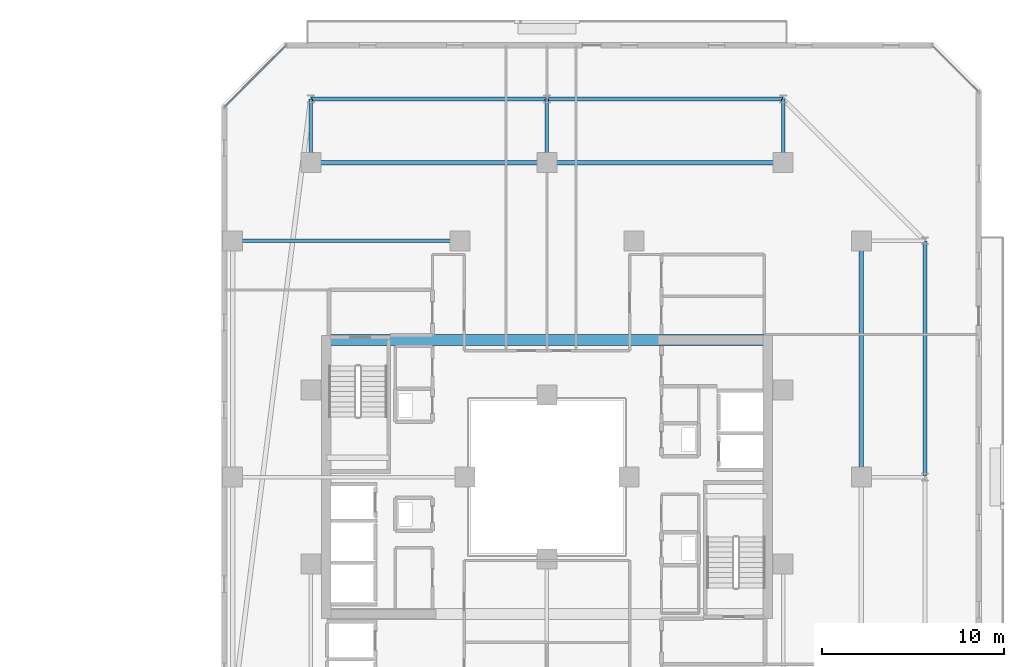
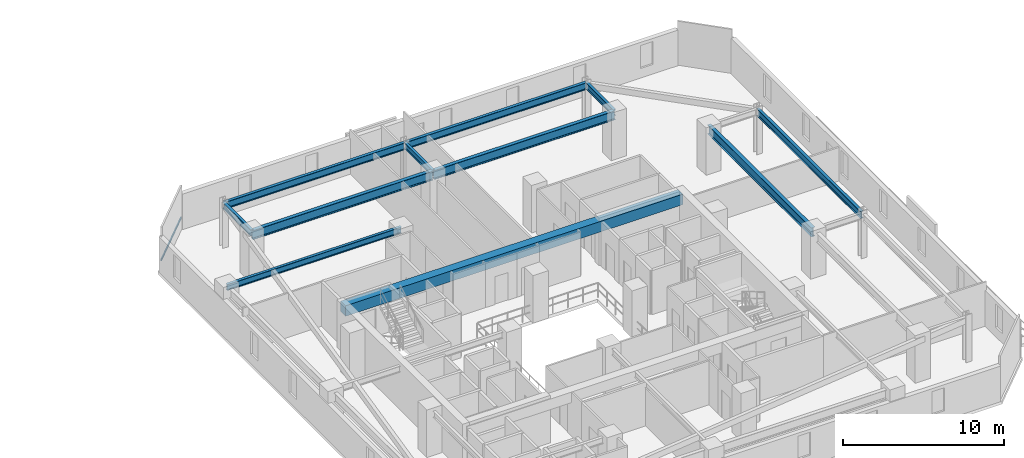
# One storey, part 15 of 33: 11 beams, 1 member, 1 element without a shape of its own.
"""IFC4 building model written with IfcOpenShell, lengths in metres."""

from ifc_helpers import new_model, si_unit, direction, frame, origin, origin_2d, place, context, subcontext, project, spatial, rectangle, hollow_rectangle, i_section, extrude, material, material_profile, profile_set, type_object, element, aggregate, save


model = new_model("IFC4")

# Units and contexts
model_context = context("Model", 3, precision=1e-05, world=origin(), true_north=direction((0.0, 1.0)))
body_context = subcontext(model_context, "Body", "Model", "MODEL_VIEW")
ifc_project = project(units=[si_unit("LENGTHUNIT", "METRE"), si_unit("AREAUNIT", "SQUARE_METRE"), si_unit("VOLUMEUNIT", "CUBIC_METRE"), si_unit("PLANEANGLEUNIT", "RADIAN"), si_unit("MASSUNIT", "GRAM", prefix="KILO")], contexts=[model_context])

# Site, building, storey
site_placement = place(None, origin())
site = spatial("IfcSite", under=ifc_project, at=site_placement, CompositionType="ELEMENT")
building_placement = place(site_placement, origin())
building = spatial("IfcBuilding", under=site, at=building_placement, Name="Thornwick Lancets Civic Towers", CompositionType="ELEMENT")
storey_placement = place(building_placement, frame((0.0, 0.0, 159.89990234375)))
storey = spatial("IfcBuildingStorey", under=building, at=storey_placement, Name="L42", CompositionType="ELEMENT", Elevation=159.89990234375)

# Beams
ifc_material_1 = material(Name="Concrete C60/75", Category="concrete")
ifc_material_profile_1 = material_profile(ifc_material_1, rectangle(XDim=0.60009765625, YDim=0.800048828125, at=origin_2d()), Name="RC 600x800")
ifc_profile_set_1 = profile_set([ifc_material_profile_1], Name="Concrete C60/75")
beam_type_1 = type_object("IfcBeamType", Name="BM_COUP_RC800", PredefinedType="BEAM", material=ifc_profile_set_1)
beam_1_placement = place(storey_placement, frame((76.39990234375, 34.550048828125, 2.960205078125), z_axis=(1.0, 0.0, 0.0), x_axis=(0.0, 1.0, 0.0)))
element("IfcBeam", 1, at=beam_1_placement, inside=storey, type_object=beam_type_1, Name="CB-L42-B1", PredefinedType="BEAM", context=body_context, shape_type="SweptSolid", body=[
    extrude(rectangle(XDim=0.60009765625, YDim=0.800048828125, at=origin_2d()), origin(), (0.0, 0.0, 1.0), 24.2001953125),
])
ifc_material_2 = material(Name="Steel S355JR", Category="steel")
ifc_material_profile_2 = material_profile(ifc_material_2, i_section(OverallWidth=0.210693359375, OverallDepth=0.53955078125, WebThickness=0.01171875, FlangeThickness=0.018798828125, FilletRadius=0.0126953125, at=origin_2d()), Name="UKB 533x210x109")
ifc_profile_set_2 = profile_set([ifc_material_profile_2], Name="Steel S355JR")
beam_type_2 = type_object("IfcBeamType", Name="BM_EDGE_533_109", PredefinedType="SPANDREL", material=ifc_profile_set_2)
beam_2_placement = place(storey_placement, frame((109.300048828125, 27.080078125, 3.09033203125), z_axis=(0.0, 1.0, 0.0), x_axis=(-1.0, 0.0, 0.0)))
element("IfcBeam", 2, at=beam_2_placement, inside=storey, type_object=beam_type_2, Name="BM-EDGE-L42-B-S0-2", PredefinedType="SPANDREL", context=body_context, shape_type="SweptSolid", body=[
    extrude(i_section(OverallWidth=0.210693359375, OverallDepth=0.53955078125, WebThickness=0.01171875, FlangeThickness=0.018798828125, FilletRadius=0.0126953125, at=origin_2d()), origin(), (0.0, 0.0, 1.0), 12.919921875),
])
beam_3_placement = place(storey_placement, frame((101.5, 47.800048828125, 3.09033203125), z_axis=(-1.0, 0.0, 0.0), x_axis=(0.0, -1.0, 0.0)))
element("IfcBeam", 3, at=beam_3_placement, inside=storey, type_object=beam_type_2, Name="BM-EDGE-L42-B-S1-1", PredefinedType="SPANDREL", context=body_context, shape_type="SweptSolid", body=[
    extrude(i_section(OverallWidth=0.210693359375, OverallDepth=0.53955078125, WebThickness=0.01171875, FlangeThickness=0.018798828125, FilletRadius=0.0126953125, at=origin_2d()), origin(), (0.0, 0.0, 1.0), 13.0),
])
beam_4_placement = place(storey_placement, frame((88.419921875, 47.800048828125, 3.09033203125), z_axis=(-1.0, 0.0, 0.0), x_axis=(0.0, -1.0, 0.0)))
element("IfcBeam", 4, at=beam_4_placement, inside=storey, type_object=beam_type_2, Name="BM-EDGE-L42-B-S1-2", PredefinedType="SPANDREL", context=body_context, shape_type="SweptSolid", body=[
    extrude(i_section(OverallWidth=0.210693359375, OverallDepth=0.53955078125, WebThickness=0.01171875, FlangeThickness=0.018798828125, FilletRadius=0.0126953125, at=origin_2d()), origin(), (0.0, 0.0, 1.0), 12.919921875),
])
ifc_material_profile_3 = material_profile(ifc_material_2, i_section(OverallWidth=0.255859375, OverallDepth=0.69287109375, WebThickness=0.014404296875, FlangeThickness=0.023681640625, FilletRadius=0.01513671875, at=origin_2d()), Name="UKB 686x254x170")
ifc_profile_set_3 = profile_set([ifc_material_profile_3], Name="Steel S355JR")
beam_type_3 = type_object("IfcBeamType", Name="BM_GIRD_686_170", PredefinedType="BEAM", material=ifc_profile_set_3)
beam_5_placement = place(storey_placement, frame((105.800048828125, 27.080078125, 3.013671875), z_axis=(0.0, 1.0, 0.0), x_axis=(-1.0, 0.0, 0.0)))
element("IfcBeam", 5, at=beam_5_placement, inside=storey, type_object=beam_type_3, Name="BM-SPINE-L42-B-1-2", PredefinedType="BEAM", context=body_context, shape_type="SweptSolid", body=[
    extrude(i_section(OverallWidth=0.255859375, OverallDepth=0.69287109375, WebThickness=0.014404296875, FlangeThickness=0.023681640625, FilletRadius=0.01513671875, at=origin_2d()), origin(), (0.0, 0.0, 1.0), 12.919921875),
])
beam_6_placement = place(storey_placement, frame((101.5, 44.300048828125, 3.013671875), z_axis=(-1.0, 0.0, 0.0), x_axis=(0.0, -1.0, 0.0)))
element("IfcBeam", 6, at=beam_6_placement, inside=storey, type_object=beam_type_3, Name="BM-SPINE-L42-B-3-4", PredefinedType="BEAM", context=body_context, shape_type="SweptSolid", body=[
    extrude(i_section(OverallWidth=0.255859375, OverallDepth=0.69287109375, WebThickness=0.014404296875, FlangeThickness=0.023681640625, FilletRadius=0.01513671875, at=origin_2d()), origin(), (0.0, 0.0, 1.0), 13.0),
])
beam_7_placement = place(storey_placement, frame((88.419921875, 44.300048828125, 3.013671875), z_axis=(-1.0, 0.0, 0.0), x_axis=(0.0, -1.0, 0.0)))
element("IfcBeam", 7, at=beam_7_placement, inside=storey, type_object=beam_type_3, Name="BM-SPINE-L42-B-4-5", PredefinedType="BEAM", context=body_context, shape_type="SweptSolid", body=[
    extrude(i_section(OverallWidth=0.255859375, OverallDepth=0.69287109375, WebThickness=0.014404296875, FlangeThickness=0.023681640625, FilletRadius=0.01513671875, at=origin_2d()), origin(), (0.0, 0.0, 1.0), 12.919921875),
])
ifc_material_profile_4 = material_profile(ifc_material_2, i_section(OverallWidth=0.19287109375, OverallDepth=0.46728515625, WebThickness=0.011474609375, FlangeThickness=0.01953125, FilletRadius=0.01025390625, at=origin_2d()), Name="UKB 457x191x98")
ifc_profile_set_4 = profile_set([ifc_material_profile_4], Name="Steel S355JR")
beam_type_4 = type_object("IfcBeamType", Name="BM_JOIST_457_98", PredefinedType="JOIST", material=ifc_profile_set_4)
for number, where, z_axis, x_axis, name in (
    (8, (101.5, 44.300048828125, 3.12646484375), (0.0, 1.0, 0.0), (-1.0, 0.0, 0.0), "BM-RAD-L42-B04"),
    (9, (88.5, 44.300048828125, 3.12646484375), (0.0, 1.0, 0.0), (-1.0, 0.0, 0.0), "BM-RAD-L42-B05"),
    (10, (75.5, 44.300048828125, 3.12646484375), (0.0, 1.0, 0.0), (-1.0, 0.0, 0.0), "BM-RAD-L42-B06"),
):
    element("IfcBeam", number, at=place(storey_placement, frame(where, z_axis=z_axis, x_axis=x_axis)), inside=storey, type_object=beam_type_4, Name=name, PredefinedType="JOIST", context=body_context, shape_type="SweptSolid", body=[
        extrude(i_section(OverallWidth=0.19287109375, OverallDepth=0.46728515625, WebThickness=0.011474609375, FlangeThickness=0.01953125, FilletRadius=0.01025390625, at=origin_2d()), origin(), (0.0, 0.0, 1.0), 3.5),
    ])
beam_8_placement = place(storey_placement, frame((83.699951171875, 40.0, 3.12646484375), z_axis=(-1.0, 0.0, 0.0), x_axis=(0.0, -1.0, 0.0)))
element("IfcBeam", 11, at=beam_8_placement, inside=storey, type_object=beam_type_4, Name="BM-RADIN-L42-B09", PredefinedType="JOIST", context=body_context, shape_type="SweptSolid", body=[
    extrude(i_section(OverallWidth=0.19287109375, OverallDepth=0.46728515625, WebThickness=0.011474609375, FlangeThickness=0.01953125, FilletRadius=0.01025390625, at=origin_2d()), origin(), (0.0, 0.0, 1.0), 12.5),
])

# Curtain wall, member
ifc_material_3 = material(Name="Mid-zone chamfered-corner unitised glass curtain wall", Category="glass")
curtain_wall_type = type_object("IfcCurtainWallType", Name="CW_SYS_04", PredefinedType="NOTDEFINED", material=ifc_material_3)
curtain_wall_placement = place(storey_placement, origin())
curtain_wall = element("IfcCurtainWall", 12, at=curtain_wall_placement, inside=storey, type_object=curtain_wall_type, Name="L42 Curtain Wall CW-L42-B-E5", PredefinedType="NOTDEFINED")
ifc_material_4 = material(Name="Thermally broken bronze aluminium S355", Category="steel")
ifc_material_profile_5 = material_profile(ifc_material_4, hollow_rectangle(XDim=0.074951171875, YDim=0.14990234375, WallThickness=0.0048828125, at=origin_2d()), Name="RHS 150x75x5")
ifc_profile_set_5 = profile_set([ifc_material_profile_5], Name="Thermally broken bronze aluminium S355")
member_type = type_object("IfcMemberType", Name="CW_TRN_150", PredefinedType="USERDEFINED", material=ifc_profile_set_5)
member_placement = place(storey_placement, frame((74.13232421875, 50.747802734375, 0.85009765625), z_axis=(-0.707106781187, -0.707106781187, 0.0), x_axis=(0.707106781187, -0.707106781187, 0.0)))
member = element("IfcMember", 13, at=member_placement, type_object=member_type, Name="CW-L42-B-E5 Transom 0", ObjectType="TRANSOM", PredefinedType="USERDEFINED", context=body_context, shape_type="SweptSolid", body=[
    extrude(hollow_rectangle(XDim=0.074951171875, YDim=0.14990234375, WallThickness=0.0048828125, at=origin_2d()), origin(), (0.0, 0.0, 1.0), 4.7802734375),
])
aggregate(curtain_wall, [member])

save(model, "model.ifc")
